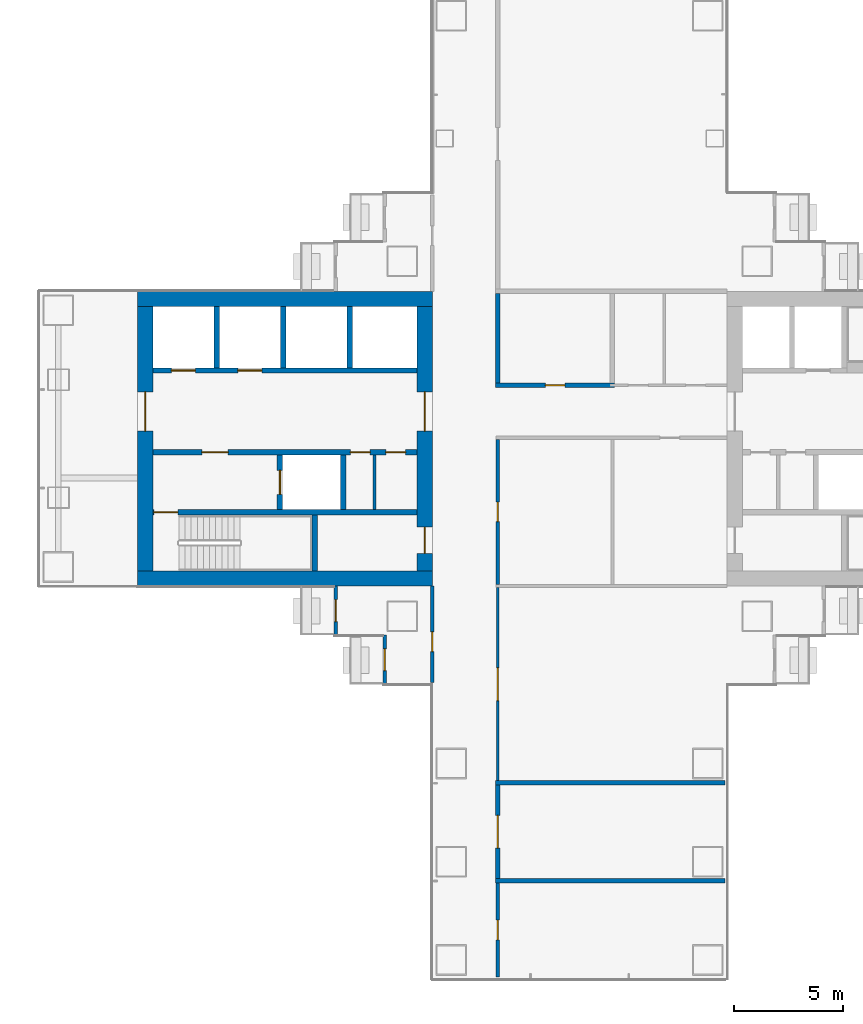
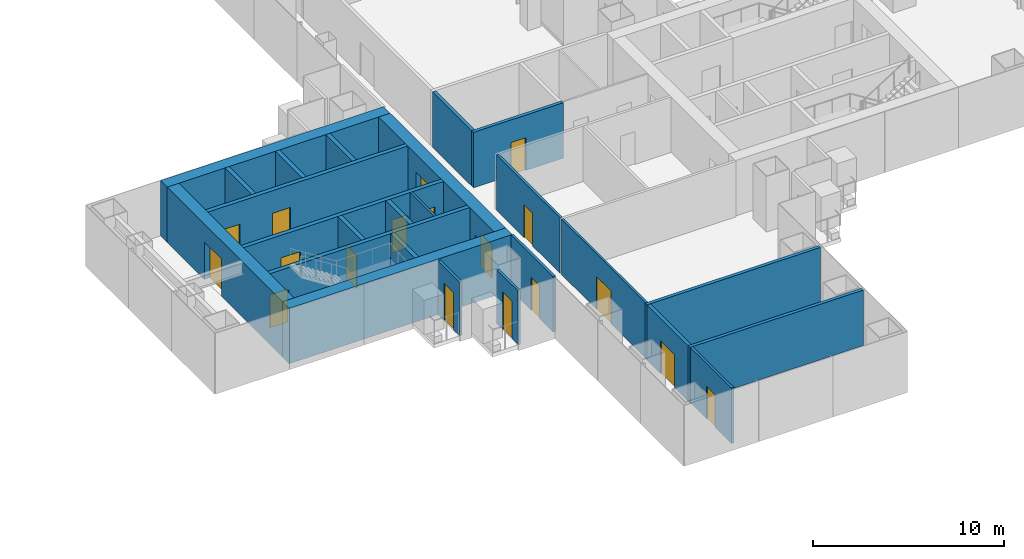
# One storey, part 16 of 22: 25 walls, 18 doors, 18 openings.
"""IFC4 building model written with IfcOpenShell, lengths in metres."""

from ifc_helpers import new_model, si_unit, direction, frame, frame_2d, origin, place, context, subcontext, project, spatial, rectangle, extrude, material, layer, layer_set, type_object, element, fill, save


model = new_model("IFC4")

# Units and contexts
model_context = context("Model", 3, precision=1e-05, world=origin(), true_north=direction((0.0, 1.0)))
body_context = subcontext(model_context, "Body", "Model", "MODEL_VIEW")
ifc_project = project(units=[si_unit("LENGTHUNIT", "METRE"), si_unit("AREAUNIT", "SQUARE_METRE"), si_unit("VOLUMEUNIT", "CUBIC_METRE"), si_unit("PLANEANGLEUNIT", "RADIAN"), si_unit("MASSUNIT", "GRAM", prefix="KILO")], contexts=[model_context])

# Site, building, storey
site_placement = place(None, origin())
site = spatial("IfcSite", under=ifc_project, at=site_placement, CompositionType="ELEMENT")
building_placement = place(site_placement, origin())
building = spatial("IfcBuilding", under=site, at=building_placement, Name="Shamsa Quay Exchange Towers", CompositionType="ELEMENT")
storey_placement = place(building_placement, frame((0.0, 0.0, 69.300048828125)))
storey = spatial("IfcBuildingStorey", under=building, at=storey_placement, Name="L15", CompositionType="ELEMENT", Elevation=69.300048828125)

# Wall, opening, door
ifc_material_1 = material(Name="Aluminium EN AW-6063 T6, black anodised, with black enamelled glass infill", Category="aluminium")
ifc_layer_1 = layer(ifc_material_1, 0.14990234375)
ifc_layer_set_1 = layer_set([ifc_layer_1], Name="BALCONY DOOR BAY WALL 150")
wall_type_1 = type_object("IfcWallType", Name="BALCONY DOOR BAY WALL 150", PredefinedType="SOLIDWALL", material=ifc_layer_set_1)
wall_1_placement = place(storey_placement, frame((22.574951171875, -9.0, 0.0), z_axis=(0.0, 0.0, 1.0), x_axis=(0.0, 1.0, 0.0)))
wall_1 = element("IfcWall", 1, at=wall_1_placement, inside=storey, type_object=wall_type_1, Name="Door bay T2-PKWN L15", PredefinedType="SOLIDWALL", context=body_context, shape_type="SweptSolid", body=[
    extrude(rectangle(XDim=2.257080078125, YDim=0.14990234375, at=frame_2d((1.12841796875, 0.0))), origin(), (0.0, 0.0, 1.0), 3.449951171875),
])
opening_1_placement = place(wall_1_placement, frame((0.625, 0.0, 0.0)))
opening_1 = element("IfcOpeningElement", 2, at=opening_1_placement, cuts=wall_1, Name="Opening XD093", PredefinedType="OPENING", context=body_context, shape_type="SweptSolid", body=[
    extrude(rectangle(XDim=1.0, YDim=2.39990234375, at=frame_2d((0.5, 1.199951171875))), frame((0.0, 0.0849609375, 0.0), z_axis=(0.0, -1.0, 0.0), x_axis=(1.0, 0.0, 0.0)), (0.0, 0.0, 1.0), 0.169921875),
])
ifc_material_2 = material(Name="Aluminium EN AW-6063 T6, black anodised, with laminated glass leaf", Category="aluminium")
door_type_1 = type_object("IfcDoorType", Name="BALCONY DOOR 1000x2400", OperationType="SINGLE_SWING_LEFT", PredefinedType="DOOR", material=ifc_material_2)
door_1_placement = place(opening_1_placement, origin())
door_1 = element("IfcDoor", 3, at=door_1_placement, inside=storey, type_object=door_type_1, Name="Balcony door T2-PKWN L15", OperationType="SINGLE_SWING_LEFT", OverallHeight=2.39990234375, OverallWidth=1.0, PredefinedType="DOOR", context=body_context, shape_type="SweptSolid", body=[
    extrude(rectangle(XDim=1.0, YDim=2.39990234375, at=frame_2d((0.5, 1.199951171875))), frame((0.0, 0.02490234375, 0.0), z_axis=(0.0, -1.0, 0.0), x_axis=(1.0, 0.0, 0.0)), (0.0, 0.0, 1.0), 0.050048828125),
])
fill(opening_1, door_1)

wall_2_placement = place(storey_placement, frame((24.824951171875, -11.25, 0.0), z_axis=(0.0, 0.0, 1.0), x_axis=(0.0, 1.0, 0.0)))
wall_2 = element("IfcWall", 4, at=wall_2_placement, inside=storey, type_object=wall_type_1, Name="Door bay T2-PKWN L15", PredefinedType="SOLIDWALL", context=body_context, shape_type="SweptSolid", body=[
    extrude(rectangle(XDim=2.25, YDim=0.14990234375, at=frame_2d((1.125, 0.0))), origin(), (0.0, 0.0, 1.0), 3.449951171875),
])
opening_2_placement = place(wall_2_placement, frame((0.625, 0.0, 0.0)))
opening_2 = element("IfcOpeningElement", 5, at=opening_2_placement, cuts=wall_2, Name="Opening XD094", PredefinedType="OPENING", context=body_context, shape_type="SweptSolid", body=[
    extrude(rectangle(XDim=1.0, YDim=2.39990234375, at=frame_2d((0.5, 1.199951171875))), frame((0.0, 0.0849609375, 0.0), z_axis=(0.0, -1.0, 0.0), x_axis=(1.0, 0.0, 0.0)), (0.0, 0.0, 1.0), 0.169921875),
])
door_2_placement = place(opening_2_placement, origin())
door_2 = element("IfcDoor", 6, at=door_2_placement, inside=storey, type_object=door_type_1, Name="Balcony door T2-PKWN L15", OperationType="SINGLE_SWING_RIGHT", OverallHeight=2.39990234375, OverallWidth=1.0, PredefinedType="DOOR", context=body_context, shape_type="SweptSolid", body=[
    extrude(rectangle(XDim=1.0, YDim=2.39990234375, at=frame_2d((0.5, 1.199951171875))), frame((0.0, 0.02490234375, 0.0), z_axis=(0.0, -1.0, 0.0), x_axis=(1.0, 0.0, 0.0)), (0.0, 0.0, 1.0), 0.050048828125),
])
fill(opening_2, door_2)

# Walls
ifc_material_3 = material(Name="Concrete C80/95", Category="concrete")
ifc_layer_2 = layer(ifc_material_3, 0.699951171875)
ifc_layer_set_2 = layer_set([ifc_layer_2], Name="CORE WALL 700 C80/95")
wall_type_2 = type_object("IfcWallType", Name="CORE WALL 700 C80/95", PredefinedType="SHEAR", material=ifc_layer_set_2)
for number, where, name in (
    (7, (13.5, -6.39990234375, 0.0), "Core wall T2A-R07-PS"),
    (8, (13.5, 6.39990234375, 0.0), "Core wall T2A-R07-PN"),
):
    element("IfcWall", number, at=place(storey_placement, frame(where)), inside=storey, type_object=wall_type_2, Name=name, PredefinedType="SHEAR", context=body_context, shape_type="SweptSolid", body=[
        extrude(rectangle(XDim=13.5, YDim=0.699951171875, at=frame_2d((6.75, 0.0))), origin(), (0.0, 0.0, 1.0), 3.550048828125),
    ])

# Wall, opening, door
wall_3_placement = place(storey_placement, frame((13.85009765625, 6.050048828125, 0.0), z_axis=(0.0, 0.0, 1.0), x_axis=(0.0, -1.0, 0.0)))
wall_3 = element("IfcWall", 9, at=wall_3_placement, inside=storey, type_object=wall_type_2, Name="Core wall T2A-R07-PF", PredefinedType="SHEAR", context=body_context, shape_type="SweptSolid", body=[
    extrude(rectangle(XDim=12.10009765625, YDim=0.699951171875, at=frame_2d((6.050048828125, 0.0))), origin(), (0.0, 0.0, 1.0), 3.550048828125),
])
opening_3_placement = place(wall_3_placement, frame((3.89990234375, 0.0, 0.0)))
opening_3 = element("IfcOpeningElement", 10, at=opening_3_placement, cuts=wall_3, Name="Opening T2A-R07-LBD01", PredefinedType="OPENING", context=body_context, shape_type="SweptSolid", body=[
    extrude(rectangle(XDim=1.800048828125, YDim=2.39990234375, at=frame_2d((0.89990234375, 1.199951171875))), frame((0.0, 0.35986328125, 0.0), z_axis=(0.0, -1.0, 0.0), x_axis=(1.0, 0.0, 0.0)), (0.0, 0.0, 1.0), 0.719970703125),
])
ifc_material_4 = material(Name="Steel, fire rated", Category="steel")
door_type_2 = type_object("IfcDoorType", Name="LIFT LOBBY DOOR PAIR 1800", OperationType="DOUBLE_DOOR_SINGLE_SWING", PredefinedType="DOOR", material=ifc_material_4)
door_3_placement = place(opening_3_placement, origin())
door_3 = element("IfcDoor", 11, at=door_3_placement, inside=storey, type_object=door_type_2, Name="T2A-R07-LBD01", OperationType="DOUBLE_DOOR_SINGLE_SWING", OverallHeight=2.39990234375, OverallWidth=1.800048828125, PredefinedType="DOOR", context=body_context, shape_type="SweptSolid", body=[
    extrude(rectangle(XDim=1.800048828125, YDim=2.39990234375, at=frame_2d((0.89990234375, 1.199951171875))), frame((0.0, 0.02490234375, 0.0), z_axis=(0.0, -1.0, 0.0), x_axis=(1.0, 0.0, 0.0)), (0.0, 0.0, 1.0), 0.050048828125),
])
fill(opening_3, door_3)

# Wall, openings, doors
wall_4_placement = place(storey_placement, frame((26.64990234375, 6.050048828125, 0.0), z_axis=(0.0, 0.0, 1.0), x_axis=(0.0, -1.0, 0.0)))
wall_4 = element("IfcWall", 12, at=wall_4_placement, inside=storey, type_object=wall_type_2, Name="Core wall T2A-R07-PB", PredefinedType="SHEAR", context=body_context, shape_type="SweptSolid", body=[
    extrude(rectangle(XDim=12.10009765625, YDim=0.699951171875, at=frame_2d((6.050048828125, 0.0))), origin(), (0.0, 0.0, 1.0), 3.550048828125),
])
opening_4_placement = place(wall_4_placement, frame((10.10009765625, 0.0, 0.0)))
opening_4 = element("IfcOpeningElement", 13, at=opening_4_placement, cuts=wall_4, Name="Opening T2A-R07-RD02", PredefinedType="OPENING", context=body_context, shape_type="SweptSolid", body=[
    extrude(rectangle(XDim=1.199951171875, YDim=2.10009765625, at=frame_2d((0.60009765625, 1.050048828125))), frame((0.0, 0.35986328125, 0.0), z_axis=(0.0, -1.0, 0.0), x_axis=(1.0, 0.0, 0.0)), (0.0, 0.0, 1.0), 0.719970703125),
])
opening_5_placement = place(wall_4_placement, frame((3.89990234375, 0.0, 0.0)))
opening_5 = element("IfcOpeningElement", 14, at=opening_5_placement, cuts=wall_4, Name="Opening T2A-R07-LBD03", PredefinedType="OPENING", context=body_context, shape_type="SweptSolid", body=[
    extrude(rectangle(XDim=1.800048828125, YDim=2.39990234375, at=frame_2d((0.89990234375, 1.199951171875))), frame((0.0, 0.35986328125, 0.0), z_axis=(0.0, -1.0, 0.0), x_axis=(1.0, 0.0, 0.0)), (0.0, 0.0, 1.0), 0.719970703125),
])
door_4_placement = place(opening_5_placement, origin())
door_4 = element("IfcDoor", 15, at=door_4_placement, inside=storey, type_object=door_type_2, Name="T2A-R07-LBD03", OperationType="DOUBLE_DOOR_SINGLE_SWING", OverallHeight=2.39990234375, OverallWidth=1.800048828125, PredefinedType="DOOR", context=body_context, shape_type="SweptSolid", body=[
    extrude(rectangle(XDim=1.800048828125, YDim=2.39990234375, at=frame_2d((0.89990234375, 1.199951171875))), frame((0.0, 0.02490234375, 0.0), z_axis=(0.0, -1.0, 0.0), x_axis=(1.0, 0.0, 0.0)), (0.0, 0.0, 1.0), 0.050048828125),
])
fill(opening_5, door_4)
door_type_3 = type_object("IfcDoorType", Name="RISER ACCESS DOOR 1200", OperationType="SINGLE_SWING_LEFT", PredefinedType="DOOR", material=ifc_material_4)
door_5_placement = place(opening_4_placement, origin())
door_5 = element("IfcDoor", 16, at=door_5_placement, inside=storey, type_object=door_type_3, Name="T2A-R07-RD02", OperationType="SINGLE_SWING_RIGHT", OverallHeight=2.10009765625, OverallWidth=1.199951171875, PredefinedType="DOOR", context=body_context, shape_type="SweptSolid", body=[
    extrude(rectangle(XDim=1.199951171875, YDim=2.10009765625, at=frame_2d((0.60009765625, 1.050048828125))), frame((0.0, 0.02490234375, 0.0), z_axis=(0.0, -1.0, 0.0), x_axis=(1.0, 0.0, 0.0)), (0.0, 0.0, 1.0), 0.050048828125),
])
fill(opening_4, door_5)

# Wall
ifc_material_5 = material(Name="Gypsum board on steel studs, EI 60", Category="steel")
ifc_layer_3 = layer(ifc_material_5, 0.14990234375)
ifc_layer_set_3 = layer_set([ifc_layer_3], Name="FIRE PARTITION 150")
wall_type_3 = type_object("IfcWallType", Name="FIRE PARTITION 150", PredefinedType="PARTITIONING", material=ifc_layer_set_3)
wall_5_placement = place(storey_placement, frame((24.35009765625, -3.25, 0.0), z_axis=(0.0, 0.0, 1.0), x_axis=(0.0, 1.0, 0.0)))
element("IfcWall", 17, at=wall_5_placement, inside=storey, type_object=wall_type_3, Name="Partition T2A-R07-EC0", PredefinedType="PARTITIONING", context=body_context, shape_type="SweptSolid", body=[
    extrude(rectangle(XDim=2.5, YDim=0.14990234375, at=frame_2d((1.25, 0.0))), origin(), (0.0, 0.0, 1.0), 3.550048828125),
])

# Wall, opening, door
ifc_material_6 = material(Name="Laminated fire-resisting glass in a metal frame", Category="glass")
ifc_layer_4 = layer(ifc_material_6, 0.125)
ifc_layer_set_4 = layer_set([ifc_layer_4], Name="Glazed partition 125 mm EI 60")
wall_type_4 = type_object("IfcWallType", Name="Glazed partition 125 mm EI 60", PredefinedType="PARTITIONING", material=ifc_layer_set_4)
wall_6_placement = place(storey_placement, frame((30.0, -6.824951171875, 0.0), z_axis=(0.0, 0.0, 1.0), x_axis=(0.0, -1.0, 0.0)))
wall_6 = element("IfcWall", 18, at=wall_6_placement, inside=storey, type_object=wall_type_4, Name="Partition T2-R07-W09", PredefinedType="PARTITIONING", context=body_context, shape_type="SweptSolid", body=[
    extrude(rectangle(XDim=8.824951171875, YDim=0.125, at=frame_2d((4.41259765625, 0.0))), origin(), (0.0, 0.0, 1.0), 3.550048828125),
])
opening_6_placement = place(wall_6_placement, frame((3.675048828125, 0.0, 0.0)))
opening_6 = element("IfcOpeningElement", 19, at=opening_6_placement, cuts=wall_6, Name="Opening T2-R07-D06", PredefinedType="OPENING", context=body_context, shape_type="SweptSolid", body=[
    extrude(rectangle(XDim=1.5, YDim=2.10009765625, at=frame_2d((0.75, 1.050048828125))), frame((0.0, 0.072509765625, 0.0), z_axis=(0.0, -1.0, 0.0), x_axis=(1.0, 0.0, 0.0)), (0.0, 0.0, 1.0), 0.14501953125),
])
ifc_material_7 = material(Name="Timber door leaf in a metal frame", Category="wood")
door_type_4 = type_object("IfcDoorType", Name="Door 1500x2100 FD30S pair", OperationType="NOTDEFINED", PredefinedType="DOOR", material=ifc_material_7)
door_6_placement = place(opening_6_placement, origin())
door_6 = element("IfcDoor", 20, at=door_6_placement, inside=storey, type_object=door_type_4, Name="Door T2-R07-D06", OperationType="DOUBLE_DOOR_SINGLE_SWING", OverallHeight=2.10009765625, OverallWidth=1.5, PredefinedType="DOOR", context=body_context, shape_type="SweptSolid", body=[
    extrude(rectangle(XDim=1.5, YDim=2.10009765625, at=frame_2d((0.75, 1.050048828125))), frame((0.0, 0.02490234375, 0.0), z_axis=(0.0, -1.0, 0.0), x_axis=(1.0, 0.0, 0.0)), (0.0, 0.0, 1.0), 0.050048828125),
])
fill(opening_6, door_6)

ifc_material_8 = material(Name="Gypsum board partition on metal studs")
ifc_layer_5 = layer(ifc_material_8, 0.14990234375)
ifc_layer_set_5 = layer_set([ifc_layer_5], Name="Partition 150 mm EI 60")
wall_type_5 = type_object("IfcWallType", Name="Partition 150 mm EI 60", PredefinedType="PARTITIONING", material=ifc_layer_set_5)
wall_7_placement = place(storey_placement, frame((30.0, -20.35009765625, 0.0), z_axis=(0.0, 0.0, 1.0), x_axis=(0.0, -1.0, 0.0)))
wall_7 = element("IfcWall", 21, at=wall_7_placement, inside=storey, type_object=wall_type_5, Name="Partition T2-R07-W03", PredefinedType="PARTITIONING", context=body_context, shape_type="SweptSolid", body=[
    extrude(rectangle(XDim=4.304931640625, YDim=0.14990234375, at=frame_2d((2.15234375, 0.0))), origin(), (0.0, 0.0, 1.0), 3.550048828125),
])
opening_7_placement = place(wall_7_placement, frame((1.699951171875, 0.0, 0.0)))
opening_7 = element("IfcOpeningElement", 22, at=opening_7_placement, cuts=wall_7, Name="Opening T2-R07-D04", PredefinedType="OPENING", context=body_context, shape_type="SweptSolid", body=[
    extrude(rectangle(XDim=0.89990234375, YDim=2.10009765625, at=frame_2d((0.449951171875, 1.050048828125))), frame((0.0, 0.0849609375, 0.0), z_axis=(0.0, -1.0, 0.0), x_axis=(1.0, 0.0, 0.0)), (0.0, 0.0, 1.0), 0.169921875),
])
door_type_5 = type_object("IfcDoorType", Name="Door 900x2100 FD30S", OperationType="NOTDEFINED", PredefinedType="DOOR", material=ifc_material_7)
door_7_placement = place(opening_7_placement, origin())
door_7 = element("IfcDoor", 23, at=door_7_placement, inside=storey, type_object=door_type_5, Name="Door T2-R07-D04", OperationType="SINGLE_SWING_RIGHT", OverallHeight=2.10009765625, OverallWidth=0.89990234375, PredefinedType="DOOR", context=body_context, shape_type="SweptSolid", body=[
    extrude(rectangle(XDim=0.89990234375, YDim=2.10009765625, at=frame_2d((0.449951171875, 1.050048828125))), frame((0.0, 0.02490234375, 0.0), z_axis=(0.0, -1.0, 0.0), x_axis=(1.0, 0.0, 0.0)), (0.0, 0.0, 1.0), 0.050048828125),
])
fill(opening_7, door_7)

wall_8_placement = place(storey_placement, frame((30.0, -0.025146484375, 0.0), z_axis=(0.0, 0.0, 1.0), x_axis=(0.0, -1.0, 0.0)))
wall_8 = element("IfcWall", 24, at=wall_8_placement, inside=storey, type_object=wall_type_5, Name="Partition T2-R07-W04", PredefinedType="PARTITIONING", context=body_context, shape_type="SweptSolid", body=[
    extrude(rectangle(XDim=6.64990234375, YDim=0.14990234375, at=frame_2d((3.324951171875, 0.0))), origin(), (0.0, 0.0, 1.0), 3.550048828125),
])
opening_8_placement = place(wall_8_placement, frame((2.875, 0.0, 0.0)))
opening_8 = element("IfcOpeningElement", 25, at=opening_8_placement, cuts=wall_8, Name="Opening T2-R07-D07", PredefinedType="OPENING", context=body_context, shape_type="SweptSolid", body=[
    extrude(rectangle(XDim=0.89990234375, YDim=2.10009765625, at=frame_2d((0.449951171875, 1.050048828125))), frame((0.0, 0.0849609375, 0.0), z_axis=(0.0, -1.0, 0.0), x_axis=(1.0, 0.0, 0.0)), (0.0, 0.0, 1.0), 0.169921875),
])
door_8_placement = place(opening_8_placement, origin())
door_8 = element("IfcDoor", 26, at=door_8_placement, inside=storey, type_object=door_type_5, Name="Door T2-R07-D07", OperationType="SINGLE_SWING_LEFT", OverallHeight=2.10009765625, OverallWidth=0.89990234375, PredefinedType="DOOR", context=body_context, shape_type="SweptSolid", body=[
    extrude(rectangle(XDim=0.89990234375, YDim=2.10009765625, at=frame_2d((0.449951171875, 1.050048828125))), frame((0.0, 0.02490234375, 0.0), z_axis=(0.0, -1.0, 0.0), x_axis=(1.0, 0.0, 0.0)), (0.0, 0.0, 1.0), 0.050048828125),
])
fill(opening_8, door_8)

wall_9_placement = place(storey_placement, frame((27.0, -11.155029296875, 0.0), z_axis=(0.0, 0.0, 1.0), x_axis=(0.0, 1.0, 0.0)))
wall_9 = element("IfcWall", 27, at=wall_9_placement, inside=storey, type_object=wall_type_5, Name="Partition T2-R07-W12", PredefinedType="PARTITIONING", context=body_context, shape_type="SweptSolid", body=[
    extrude(rectangle(XDim=4.405029296875, YDim=0.14990234375, at=frame_2d((2.20263671875, 0.0))), origin(), (0.0, 0.0, 1.0), 3.550048828125),
])
opening_9_placement = place(wall_9_placement, frame((1.405029296875, 0.0, 0.0)))
opening_9 = element("IfcOpeningElement", 28, at=opening_9_placement, cuts=wall_9, Name="Opening T2-R07-D11", PredefinedType="OPENING", context=body_context, shape_type="SweptSolid", body=[
    extrude(rectangle(XDim=0.89990234375, YDim=2.10009765625, at=frame_2d((0.449951171875, 1.050048828125))), frame((0.0, 0.0849609375, 0.0), z_axis=(0.0, -1.0, 0.0), x_axis=(1.0, 0.0, 0.0)), (0.0, 0.0, 1.0), 0.169921875),
])
door_9_placement = place(opening_9_placement, origin())
door_9 = element("IfcDoor", 29, at=door_9_placement, inside=storey, type_object=door_type_5, Name="Door T2-R07-D11", OperationType="SINGLE_SWING_LEFT", OverallHeight=2.10009765625, OverallWidth=0.89990234375, PredefinedType="DOOR", context=body_context, shape_type="SweptSolid", body=[
    extrude(rectangle(XDim=0.89990234375, YDim=2.10009765625, at=frame_2d((0.449951171875, 1.050048828125))), frame((0.0, 0.02490234375, 0.0), z_axis=(0.0, -1.0, 0.0), x_axis=(1.0, 0.0, 0.0)), (0.0, 0.0, 1.0), 0.050048828125),
])
fill(opening_9, door_9)

ifc_layer_6 = layer(ifc_material_8, 0.199951171875)
ifc_layer_set_6 = layer_set([ifc_layer_6], Name="Partition 200 mm EI 120")
wall_type_6 = type_object("IfcWallType", Name="Partition 200 mm EI 120", PredefinedType="PARTITIONING", material=ifc_layer_set_6)
wall_10_placement = place(storey_placement, frame((29.89990234375, 2.4501953125, 0.0)))
wall_10 = element("IfcWall", 30, at=wall_10_placement, inside=storey, type_object=wall_type_6, Name="Partition T2-R07-W07", PredefinedType="PARTITIONING", context=body_context, shape_type="SweptSolid", body=[
    extrude(rectangle(XDim=5.4501953125, YDim=0.199951171875, at=frame_2d((2.72509765625, 0.0))), origin(), (0.0, 0.0, 1.0), 3.550048828125),
])
opening_10_placement = place(wall_10_placement, frame((2.27490234375, 0.0, 0.0)))
opening_10 = element("IfcOpeningElement", 31, at=opening_10_placement, cuts=wall_10, Name="Opening T2-R07-D03", PredefinedType="OPENING", context=body_context, shape_type="SweptSolid", body=[
    extrude(rectangle(XDim=0.89990234375, YDim=2.10009765625, at=frame_2d((0.449951171875, 1.050048828125))), frame((0.0, 0.10986328125, 0.0), z_axis=(0.0, -1.0, 0.0), x_axis=(1.0, 0.0, 0.0)), (0.0, 0.0, 1.0), 0.219970703125),
])
door_type_6 = type_object("IfcDoorType", Name="Door 900x2100 FD60", OperationType="NOTDEFINED", PredefinedType="DOOR", material=ifc_material_7)
door_10_placement = place(opening_10_placement, origin())
door_10 = element("IfcDoor", 32, at=door_10_placement, inside=storey, type_object=door_type_6, Name="Door T2-R07-D03", OperationType="SINGLE_SWING_LEFT", OverallHeight=2.10009765625, OverallWidth=0.89990234375, PredefinedType="DOOR", context=body_context, shape_type="SweptSolid", body=[
    extrude(rectangle(XDim=0.89990234375, YDim=2.10009765625, at=frame_2d((0.449951171875, 1.050048828125))), frame((0.0, 0.02490234375, 0.0), z_axis=(0.0, -1.0, 0.0), x_axis=(1.0, 0.0, 0.0)), (0.0, 0.0, 1.0), 0.050048828125),
])
fill(opening_10, door_10)

# Wall
wall_11_placement = place(storey_placement, frame((30.0, 6.64990234375, 0.0), z_axis=(0.0, 0.0, 1.0), x_axis=(0.0, -1.0, 0.0)))
element("IfcWall", 33, at=wall_11_placement, inside=storey, type_object=wall_type_6, Name="Partition T2-R07-W08", PredefinedType="PARTITIONING", context=body_context, shape_type="SweptSolid", body=[
    extrude(rectangle(XDim=4.099609375, YDim=0.199951171875, at=frame_2d((2.0498046875, 0.0))), origin(), (0.0, 0.0, 1.0), 3.550048828125),
])

# Wall, opening, door
ifc_layer_7 = layer(ifc_material_8, 0.199951171875)
ifc_layer_set_7 = layer_set([ifc_layer_7], Name="Partition 200 mm EI 90")
wall_type_7 = type_object("IfcWallType", Name="Partition 200 mm EI 90", PredefinedType="PARTITIONING", material=ifc_layer_set_7)
wall_12_placement = place(storey_placement, frame((30.0, -15.85009765625, 0.0), z_axis=(0.0, 0.0, 1.0), x_axis=(0.0, -1.0, 0.0)))
wall_12 = element("IfcWall", 34, at=wall_12_placement, inside=storey, type_object=wall_type_7, Name="Partition T2-R07-W01", PredefinedType="PARTITIONING", context=body_context, shape_type="SweptSolid", body=[
    extrude(rectangle(XDim=4.2998046875, YDim=0.199951171875, at=frame_2d((2.14990234375, 0.0))), origin(), (0.0, 0.0, 1.0), 3.550048828125),
])
opening_11_placement = place(wall_12_placement, frame((1.39990234375, 0.0, 0.0)))
opening_11 = element("IfcOpeningElement", 35, at=opening_11_placement, cuts=wall_12, Name="Opening T2-R07-D05", PredefinedType="OPENING", context=body_context, shape_type="SweptSolid", body=[
    extrude(rectangle(XDim=1.5, YDim=2.10009765625, at=frame_2d((0.75, 1.050048828125))), frame((0.0, 0.10986328125, 0.0), z_axis=(0.0, -1.0, 0.0), x_axis=(1.0, 0.0, 0.0)), (0.0, 0.0, 1.0), 0.219970703125),
])
door_11_placement = place(opening_11_placement, origin())
door_11 = element("IfcDoor", 36, at=door_11_placement, inside=storey, type_object=door_type_4, Name="Door T2-R07-D05", OperationType="DOUBLE_DOOR_SINGLE_SWING", OverallHeight=2.10009765625, OverallWidth=1.5, PredefinedType="DOOR", context=body_context, shape_type="SweptSolid", body=[
    extrude(rectangle(XDim=1.5, YDim=2.10009765625, at=frame_2d((0.75, 1.050048828125))), frame((0.0, 0.02490234375, 0.0), z_axis=(0.0, -1.0, 0.0), x_axis=(1.0, 0.0, 0.0)), (0.0, 0.0, 1.0), 0.050048828125),
])
fill(opening_11, door_11)

# Walls
for number, where, name in (
    (37, (29.89990234375, -15.75, 0.0), "Partition T2-R07-W17"),
    (38, (29.89990234375, -20.25, 0.0), "Partition T2-R07-W19"),
):
    element("IfcWall", number, at=place(storey_placement, frame(where)), inside=storey, type_object=wall_type_7, Name=name, PredefinedType="PARTITIONING", context=body_context, shape_type="SweptSolid", body=[
        extrude(rectangle(XDim=10.505126953125, YDim=0.199951171875, at=frame_2d((5.25244140625, 0.0))), origin(), (0.0, 0.0, 1.0), 3.550048828125),
    ])

# Wall, opening, door
ifc_material_9 = material(Name="Concrete C50/60", Category="concrete")
ifc_layer_8 = layer(ifc_material_9, 0.25)
ifc_layer_set_8 = layer_set([ifc_layer_8], Name="SHAFT WALL 250 C50/60")
wall_type_8 = type_object("IfcWallType", Name="SHAFT WALL 250 C50/60", PredefinedType="SHEAR", material=ifc_layer_set_8)
wall_13_placement = place(storey_placement, frame((26.300048828125, -3.375, 0.0), z_axis=(0.0, 0.0, 1.0), x_axis=(-1.0, 0.0, 0.0)))
wall_13 = element("IfcWall", 39, at=wall_13_placement, inside=storey, type_object=wall_type_8, Name="Shaft wall T2A-R07-STL", PredefinedType="SHEAR", context=body_context, shape_type="SweptSolid", body=[
    extrude(rectangle(XDim=12.10009765625, YDim=0.25, at=frame_2d((6.050048828125, 0.0))), origin(), (0.0, 0.0, 1.0), 3.550048828125),
])
opening_12_placement = place(wall_13_placement, frame((10.949951171875, 0.0, 0.0)))
opening_12 = element("IfcOpeningElement", 40, at=opening_12_placement, cuts=wall_13, Name="Opening T2A-R07-SD04", PredefinedType="OPENING", context=body_context, shape_type="SweptSolid", body=[
    extrude(rectangle(XDim=1.10009765625, YDim=2.10009765625, at=frame_2d((0.550048828125, 1.050048828125))), frame((0.0, 0.135009765625, 0.0), z_axis=(0.0, -1.0, 0.0), x_axis=(1.0, 0.0, 0.0)), (0.0, 0.0, 1.0), 0.27001953125),
])
door_type_7 = type_object("IfcDoorType", Name="STAIR DOOR 1100", OperationType="SINGLE_SWING_LEFT", PredefinedType="DOOR", material=ifc_material_4)
door_12_placement = place(opening_12_placement, origin())
door_12 = element("IfcDoor", 41, at=door_12_placement, inside=storey, type_object=door_type_7, Name="T2A-R07-SD04", OperationType="SINGLE_SWING_RIGHT", OverallHeight=2.10009765625, OverallWidth=1.10009765625, PredefinedType="DOOR", context=body_context, shape_type="SweptSolid", body=[
    extrude(rectangle(XDim=1.10009765625, YDim=2.10009765625, at=frame_2d((0.550048828125, 1.050048828125))), frame((0.0, 0.02490234375, 0.0), z_axis=(0.0, -1.0, 0.0), x_axis=(1.0, 0.0, 0.0)), (0.0, 0.0, 1.0), 0.050048828125),
])
fill(opening_12, door_12)

# Wall
wall_14_placement = place(storey_placement, frame((21.625, -6.050048828125, 0.0), z_axis=(0.0, 0.0, 1.0), x_axis=(0.0, 1.0, 0.0)))
element("IfcWall", 42, at=wall_14_placement, inside=storey, type_object=wall_type_8, Name="Shaft wall T2A-R07-STF", PredefinedType="SHEAR", context=body_context, shape_type="SweptSolid", body=[
    extrude(rectangle(XDim=2.550048828125, YDim=0.25, at=frame_2d((1.27490234375, 0.0))), origin(), (0.0, 0.0, 1.0), 3.550048828125),
])

# Wall, openings, doors
wall_15_placement = place(storey_placement, frame((26.300048828125, -0.625, 0.0), z_axis=(0.0, 0.0, 1.0), x_axis=(-1.0, 0.0, 0.0)))
wall_15 = element("IfcWall", 43, at=wall_15_placement, inside=storey, type_object=wall_type_8, Name="Shaft wall T2A-R07-B", PredefinedType="SHEAR", context=body_context, shape_type="SweptSolid", body=[
    extrude(rectangle(XDim=12.10009765625, YDim=0.25, at=frame_2d((6.050048828125, 0.0))), origin(), (0.0, 0.0, 1.0), 3.550048828125),
])
opening_13_placement = place(wall_15_placement, frame((8.64990234375, 0.0, 0.0)))
opening_13 = element("IfcOpeningElement", 44, at=opening_13_placement, cuts=wall_15, Name="Opening T2A-R07-FD05", PredefinedType="OPENING", context=body_context, shape_type="SweptSolid", body=[
    extrude(rectangle(XDim=1.199951171875, YDim=2.10009765625, at=frame_2d((0.60009765625, 1.050048828125))), frame((0.0, 0.135009765625, 0.0), z_axis=(0.0, -1.0, 0.0), x_axis=(1.0, 0.0, 0.0)), (0.0, 0.0, 1.0), 0.27001953125),
])
opening_14_placement = place(wall_15_placement, frame((2.14990234375, 0.0, 0.0)))
opening_14 = element("IfcOpeningElement", 45, at=opening_14_placement, cuts=wall_15, Name="Opening T2A-R07-SV06", PredefinedType="OPENING", context=body_context, shape_type="SweptSolid", body=[
    extrude(rectangle(XDim=0.89990234375, YDim=2.10009765625, at=frame_2d((0.449951171875, 1.050048828125))), frame((0.0, 0.135009765625, 0.0), z_axis=(0.0, -1.0, 0.0), x_axis=(1.0, 0.0, 0.0)), (0.0, 0.0, 1.0), 0.27001953125),
])
opening_15_placement = place(wall_15_placement, frame((0.52490234375, 0.0, 0.0)))
opening_15 = element("IfcOpeningElement", 46, at=opening_15_placement, cuts=wall_15, Name="Opening T2A-R07-SV07", PredefinedType="OPENING", context=body_context, shape_type="SweptSolid", body=[
    extrude(rectangle(XDim=0.89990234375, YDim=2.10009765625, at=frame_2d((0.449951171875, 1.050048828125))), frame((0.0, 0.135009765625, 0.0), z_axis=(0.0, -1.0, 0.0), x_axis=(1.0, 0.0, 0.0)), (0.0, 0.0, 1.0), 0.27001953125),
])
door_type_8 = type_object("IfcDoorType", Name="FIRE SERVICE LOBBY DOOR 1200", OperationType="SINGLE_SWING_LEFT", PredefinedType="DOOR", material=ifc_material_4)
door_13_placement = place(opening_13_placement, origin())
door_13 = element("IfcDoor", 47, at=door_13_placement, inside=storey, type_object=door_type_8, Name="T2A-R07-FD05", OperationType="SINGLE_SWING_RIGHT", OverallHeight=2.10009765625, OverallWidth=1.199951171875, PredefinedType="DOOR", context=body_context, shape_type="SweptSolid", body=[
    extrude(rectangle(XDim=1.199951171875, YDim=2.10009765625, at=frame_2d((0.60009765625, 1.050048828125))), frame((0.0, 0.02490234375, 0.0), z_axis=(0.0, -1.0, 0.0), x_axis=(1.0, 0.0, 0.0)), (0.0, 0.0, 1.0), 0.050048828125),
])
fill(opening_13, door_13)
door_type_9 = type_object("IfcDoorType", Name="SERVICE ROOM DOOR 900", OperationType="SINGLE_SWING_LEFT", PredefinedType="DOOR", material=ifc_material_4)
door_14_placement = place(opening_14_placement, origin())
door_14 = element("IfcDoor", 48, at=door_14_placement, inside=storey, type_object=door_type_9, Name="T2A-R07-SV06", OperationType="SINGLE_SWING_LEFT", OverallHeight=2.10009765625, OverallWidth=0.89990234375, PredefinedType="DOOR", context=body_context, shape_type="SweptSolid", body=[
    extrude(rectangle(XDim=0.89990234375, YDim=2.10009765625, at=frame_2d((0.449951171875, 1.050048828125))), frame((0.0, 0.02490234375, 0.0), z_axis=(0.0, -1.0, 0.0), x_axis=(1.0, 0.0, 0.0)), (0.0, 0.0, 1.0), 0.050048828125),
])
fill(opening_14, door_14)
door_15_placement = place(opening_15_placement, origin())
door_15 = element("IfcDoor", 49, at=door_15_placement, inside=storey, type_object=door_type_9, Name="T2A-R07-SV07", OperationType="SINGLE_SWING_LEFT", OverallHeight=2.10009765625, OverallWidth=0.89990234375, PredefinedType="DOOR", context=body_context, shape_type="SweptSolid", body=[
    extrude(rectangle(XDim=0.89990234375, YDim=2.10009765625, at=frame_2d((0.449951171875, 1.050048828125))), frame((0.0, 0.02490234375, 0.0), z_axis=(0.0, -1.0, 0.0), x_axis=(1.0, 0.0, 0.0)), (0.0, 0.0, 1.0), 0.050048828125),
])
fill(opening_15, door_15)

# Wall, opening, door
wall_16_placement = place(storey_placement, frame((20.02490234375, -3.25, 0.0), z_axis=(0.0, 0.0, 1.0), x_axis=(0.0, 1.0, 0.0)))
wall_16 = element("IfcWall", 50, at=wall_16_placement, inside=storey, type_object=wall_type_8, Name="Shaft wall T2A-R07-FFF", PredefinedType="SHEAR", context=body_context, shape_type="SweptSolid", body=[
    extrude(rectangle(XDim=2.5, YDim=0.25, at=frame_2d((1.25, 0.0))), origin(), (0.0, 0.0, 1.0), 3.550048828125),
])
opening_16_placement = place(wall_16_placement, frame((0.699951171875, 0.0, 0.0)))
opening_16 = element("IfcOpeningElement", 51, at=opening_16_placement, cuts=wall_16, Name="Opening T2A-R07-LDF08", PredefinedType="OPENING", context=body_context, shape_type="SweptSolid", body=[
    extrude(rectangle(XDim=1.10009765625, YDim=2.10009765625, at=frame_2d((0.550048828125, 1.050048828125))), frame((0.0, 0.135009765625, 0.0), z_axis=(0.0, -1.0, 0.0), x_axis=(1.0, 0.0, 0.0)), (0.0, 0.0, 1.0), 0.27001953125),
])
door_type_10 = type_object("IfcDoorType", Name="FIRE SERVICE LANDING DOOR 1100", OperationType="SLIDING_TO_LEFT", PredefinedType="DOOR", material=ifc_material_4)
door_16_placement = place(opening_16_placement, origin())
door_16 = element("IfcDoor", 52, at=door_16_placement, inside=storey, type_object=door_type_10, Name="T2A-R07-LDF08", OperationType="SLIDING_TO_LEFT", OverallHeight=2.10009765625, OverallWidth=1.10009765625, PredefinedType="DOOR", context=body_context, shape_type="SweptSolid", body=[
    extrude(rectangle(XDim=1.10009765625, YDim=2.10009765625, at=frame_2d((0.550048828125, 1.050048828125))), frame((0.0, 0.02490234375, 0.0), z_axis=(0.0, -1.0, 0.0), x_axis=(1.0, 0.0, 0.0)), (0.0, 0.0, 1.0), 0.050048828125),
])
fill(opening_16, door_16)

# Wall
wall_17_placement = place(storey_placement, frame((22.925048828125, -3.25, 0.0), z_axis=(0.0, 0.0, 1.0), x_axis=(0.0, 1.0, 0.0)))
element("IfcWall", 53, at=wall_17_placement, inside=storey, type_object=wall_type_8, Name="Shaft wall T2A-R07-FFB", PredefinedType="SHEAR", context=body_context, shape_type="SweptSolid", body=[
    extrude(rectangle(XDim=2.5, YDim=0.25, at=frame_2d((1.25, 0.0))), origin(), (0.0, 0.0, 1.0), 3.550048828125),
])

# Wall, openings, doors
wall_18_placement = place(storey_placement, frame((14.199951171875, 3.125, 0.0)))
wall_18 = element("IfcWall", 54, at=wall_18_placement, inside=storey, type_object=wall_type_8, Name="Shaft wall T2A-R07-N", PredefinedType="SHEAR", context=body_context, shape_type="SweptSolid", body=[
    extrude(rectangle(XDim=12.10009765625, YDim=0.25, at=frame_2d((6.050048828125, 0.0))), origin(), (0.0, 0.0, 1.0), 3.550048828125),
])
opening_17_placement = place(wall_18_placement, frame((0.85009765625, 0.0, 0.0)))
opening_17 = element("IfcOpeningElement", 55, at=opening_17_placement, cuts=wall_18, Name="Opening T2A-R07-LD09", PredefinedType="OPENING", context=body_context, shape_type="SweptSolid", body=[
    extrude(rectangle(XDim=1.10009765625, YDim=2.10009765625, at=frame_2d((0.550048828125, 1.050048828125))), frame((0.0, 0.135009765625, 0.0), z_axis=(0.0, -1.0, 0.0), x_axis=(1.0, 0.0, 0.0)), (0.0, 0.0, 1.0), 0.27001953125),
])
opening_18_placement = place(wall_18_placement, frame((3.89990234375, 0.0, 0.0)))
opening_18 = element("IfcOpeningElement", 56, at=opening_18_placement, cuts=wall_18, Name="Opening T2A-R07-LD10", PredefinedType="OPENING", context=body_context, shape_type="SweptSolid", body=[
    extrude(rectangle(XDim=1.10009765625, YDim=2.10009765625, at=frame_2d((0.550048828125, 1.050048828125))), frame((0.0, 0.135009765625, 0.0), z_axis=(0.0, -1.0, 0.0), x_axis=(1.0, 0.0, 0.0)), (0.0, 0.0, 1.0), 0.27001953125),
])
door_type_11 = type_object("IfcDoorType", Name="LANDING DOOR 1100", OperationType="SLIDING_TO_LEFT", PredefinedType="DOOR", material=ifc_material_4)
door_17_placement = place(opening_17_placement, origin())
door_17 = element("IfcDoor", 57, at=door_17_placement, inside=storey, type_object=door_type_11, Name="T2A-R07-LD09", OperationType="SLIDING_TO_LEFT", OverallHeight=2.10009765625, OverallWidth=1.10009765625, PredefinedType="DOOR", context=body_context, shape_type="SweptSolid", body=[
    extrude(rectangle(XDim=1.10009765625, YDim=2.10009765625, at=frame_2d((0.550048828125, 1.050048828125))), frame((0.0, 0.02490234375, 0.0), z_axis=(0.0, -1.0, 0.0), x_axis=(1.0, 0.0, 0.0)), (0.0, 0.0, 1.0), 0.050048828125),
])
fill(opening_17, door_17)
door_18_placement = place(opening_18_placement, origin())
door_18 = element("IfcDoor", 58, at=door_18_placement, inside=storey, type_object=door_type_11, Name="T2A-R07-LD10", OperationType="SLIDING_TO_LEFT", OverallHeight=2.10009765625, OverallWidth=1.10009765625, PredefinedType="DOOR", context=body_context, shape_type="SweptSolid", body=[
    extrude(rectangle(XDim=1.10009765625, YDim=2.10009765625, at=frame_2d((0.550048828125, 1.050048828125))), frame((0.0, 0.02490234375, 0.0), z_axis=(0.0, -1.0, 0.0), x_axis=(1.0, 0.0, 0.0)), (0.0, 0.0, 1.0), 0.050048828125),
])
fill(opening_18, door_18)

# Walls
for number, where, z_axis, x_axis, name in (
    (59, (17.125, 3.25, 0.0), (0.0, 0.0, 1.0), (0.0, 1.0, 0.0), "Shaft wall T2A-R07-D0"),
    (60, (20.175048828125, 3.25, 0.0), (0.0, 0.0, 1.0), (0.0, 1.0, 0.0), "Shaft wall T2A-R07-D1"),
    (61, (23.22509765625, 3.25, 0.0), (0.0, 0.0, 1.0), (0.0, 1.0, 0.0), "Shaft wall T2A-R07-D2"),
):
    element("IfcWall", number, at=place(storey_placement, frame(where, z_axis=z_axis, x_axis=x_axis)), inside=storey, type_object=wall_type_8, Name=name, PredefinedType="SHEAR", context=body_context, shape_type="SweptSolid", body=[
        extrude(rectangle(XDim=2.800048828125, YDim=0.25, at=frame_2d((1.39990234375, 0.0))), origin(), (0.0, 0.0, 1.0), 3.550048828125),
    ])

save(model, "model.ifc")
